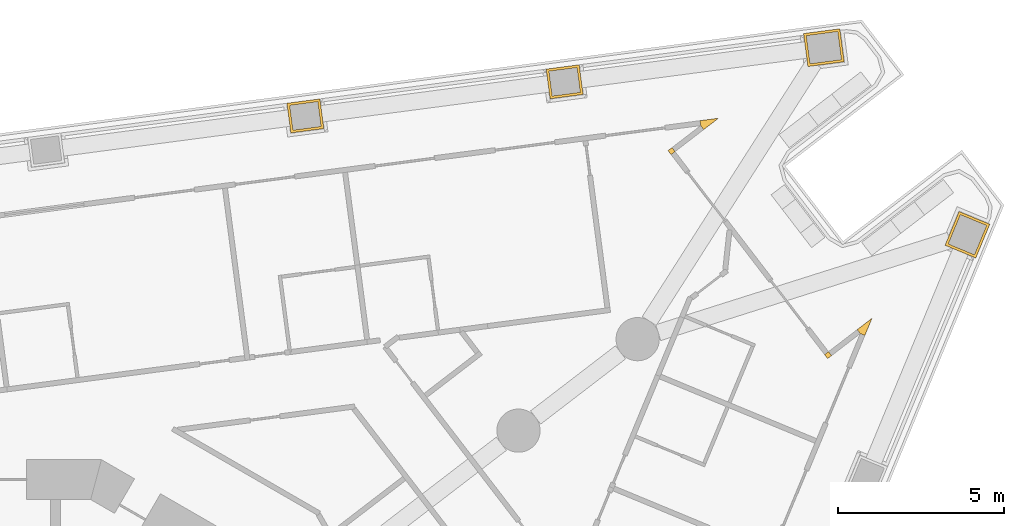
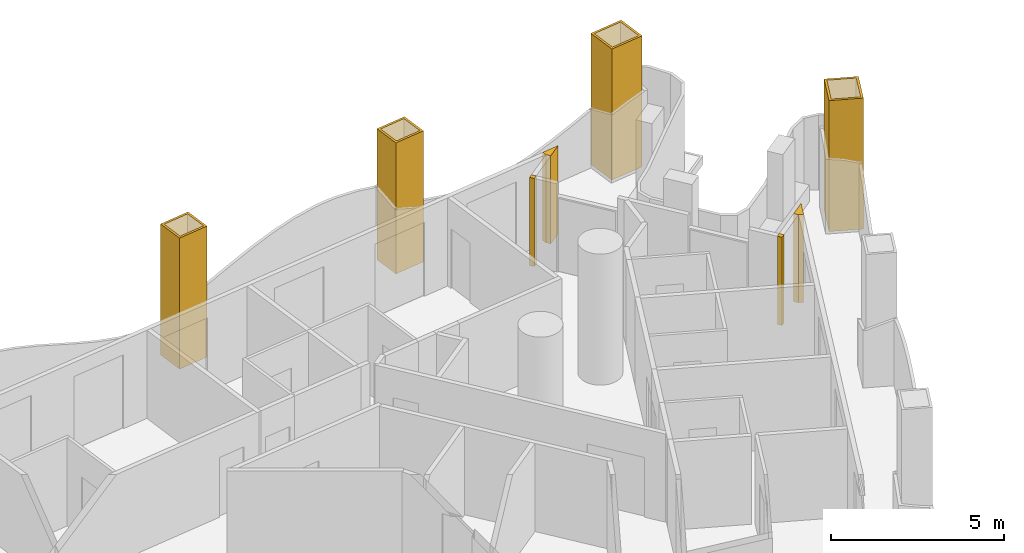
# One storey, part 18 of 19: 8 coverings.
"""IFC4 building model written with IfcOpenShell, lengths in metres."""

from ifc_helpers import new_model, si_unit, direction, frame, origin, place, context, subcontext, project, spatial, polyline, outline, extrude, material, layer, layer_set, type_object, element, save


model = new_model("IFC4")

# Units and contexts
model_context = context("Model", 3, precision=1e-05, world=origin(), true_north=direction((0.0, 1.0)))
body_context = subcontext(model_context, "Body", "Model", "MODEL_VIEW")
ifc_project = project(units=[si_unit("LENGTHUNIT", "METRE"), si_unit("AREAUNIT", "SQUARE_METRE"), si_unit("VOLUMEUNIT", "CUBIC_METRE"), si_unit("PLANEANGLEUNIT", "RADIAN"), si_unit("MASSUNIT", "GRAM", prefix="KILO")], contexts=[model_context])

# Site, building, storey
site_placement = place(None, origin())
site = spatial("IfcSite", under=ifc_project, at=site_placement, CompositionType="ELEMENT")
building_placement = place(site_placement, origin())
building = spatial("IfcBuilding", under=site, at=building_placement, Name="Trine Commons Tower", CompositionType="ELEMENT")
storey_placement = place(building_placement, frame((0.0, 0.0, 79.199951171875)))
storey = spatial("IfcBuildingStorey", under=building, at=storey_placement, Name="L19", CompositionType="ELEMENT", Elevation=79.199951171875)

# Coverings
ifc_material_1 = material(Name="Aluminium-framed insulated wall panel", Category="aluminium")
ifc_layer_1 = layer(ifc_material_1, 0.14990234375)
ifc_layer_set_1 = layer_set([ifc_layer_1], Name="Aluminium-framed insulated wall panel")
covering_type_1 = type_object("IfcCoveringType", Name="Glazing corner post, aluminium", PredefinedType="CLADDING", material=ifc_layer_set_1)
covering_1_placement = place(storey_placement, origin())
element("IfcCovering", 1, at=covering_1_placement, inside=storey, type_object=covering_type_1, Name="Glazing corner post 2-05", PredefinedType="CLADDING", context=body_context, shape_type="SweptSolid", body=[
    extrude(outline(polyline([(101.056396484375, 83.434326171875), (101.50048828125, 83.775146484375), (100.945556640625, 83.7021484375), (100.965087890625, 83.553466796875), (101.056396484375, 83.434326171875)])), origin(), (0.0, 0.0, 1.0), 3.10009765625),
])
covering_2_placement = place(storey_placement, origin())
element("IfcCovering", 2, at=covering_2_placement, inside=storey, type_object=covering_type_1, Name="Glazing corner post 2-06", PredefinedType="CLADDING", context=body_context, shape_type="SweptSolid", body=[
    extrude(outline(polyline([(100.076171875, 82.68212890625), (100.195068359375, 82.7734375), (100.103759765625, 82.892333984375), (99.98486328125, 82.801025390625), (100.076171875, 82.68212890625)])), origin(), (0.0, 0.0, 1.0), 3.10009765625),
])
covering_3_placement = place(storey_placement, origin())
element("IfcCovering", 3, at=covering_3_placement, inside=storey, type_object=covering_type_1, Name="Glazing corner post 2-07", PredefinedType="CLADDING", context=body_context, shape_type="SweptSolid", body=[
    extrude(outline(polyline([(104.6904296875, 76.66845703125), (104.78173828125, 76.549560546875), (104.90087890625, 76.640869140625), (104.8095703125, 76.759765625), (104.6904296875, 76.66845703125)])), origin(), (0.0, 0.0, 1.0), 3.10009765625),
])
covering_4_placement = place(storey_placement, origin())
element("IfcCovering", 4, at=covering_4_placement, inside=storey, type_object=covering_type_1, Name="Glazing corner post 2-08", PredefinedType="CLADDING", context=body_context, shape_type="SweptSolid", body=[
    extrude(outline(polyline([(105.90087890625, 77.244384765625), (106.114990234375, 77.761474609375), (105.6708984375, 77.4208984375), (105.76220703125, 77.3017578125), (105.90087890625, 77.244384765625)])), origin(), (0.0, 0.0, 1.0), 3.10009765625),
])
ifc_material_2 = material(Name="Limestone, honed", Category="masonry")
ifc_layer_2 = layer(ifc_material_2, 0.074951171875)
ifc_layer_set_2 = layer_set([ifc_layer_2], Name="Limestone, honed")
covering_type_2 = type_object("IfcCoveringType", Name="Limestone column cladding 75", PredefinedType="CLADDING", material=ifc_layer_set_2)
covering_5_placement = place(storey_placement, origin())
element("IfcCovering", 5, at=covering_5_placement, inside=storey, type_object=covering_type_2, Name="Limestone pier cladding 2-14", PredefinedType="CLADDING", context=body_context, shape_type="SweptSolid", body=[
    extrude(outline(polyline([(89.636962890625, 83.464111328125), (89.519287109375, 84.356201171875), (88.52783203125, 84.225830078125), (88.6455078125, 83.33349609375), (89.636962890625, 83.464111328125)]), holes=[polyline([(89.552734375, 83.528564453125), (89.454833984375, 84.272216796875), (88.612060546875, 84.1611328125), (88.7099609375, 83.41748046875), (89.552734375, 83.528564453125)])]), origin(), (0.0, 0.0, 1.0), 4.609619140625),
])
covering_6_placement = place(storey_placement, origin())
element("IfcCovering", 6, at=covering_6_placement, inside=storey, type_object=covering_type_2, Name="Limestone pier cladding 2-15", PredefinedType="CLADDING", context=body_context, shape_type="SweptSolid", body=[
    extrude(outline(polyline([(97.43017578125, 84.489990234375), (97.312744140625, 85.38232421875), (96.3212890625, 85.251708984375), (96.438720703125, 84.359619140625), (97.43017578125, 84.489990234375)]), holes=[polyline([(97.345947265625, 84.5546875), (97.248046875, 85.298095703125), (96.405517578125, 85.187255859375), (96.50341796875, 84.443603515625), (97.345947265625, 84.5546875)])]), origin(), (0.0, 0.0, 1.0), 4.609619140625),
])
covering_7_placement = place(storey_placement, origin())
element("IfcCovering", 7, at=covering_7_placement, inside=storey, type_object=covering_type_2, Name="Limestone pier cladding 2-16", PredefinedType="CLADDING", context=body_context, shape_type="SweptSolid", body=[
    extrude(outline(polyline([(105.279541015625, 85.472900390625), (105.14892578125, 86.46435546875), (104.058349609375, 86.32080078125), (104.18896484375, 85.329345703125), (105.279541015625, 85.472900390625)]), holes=[polyline([(105.1953125, 85.53759765625), (105.08447265625, 86.38037109375), (104.142578125, 86.25634765625), (104.25341796875, 85.41357421875), (105.1953125, 85.53759765625)])]), origin(), (0.0, 0.0, 1.0), 4.609619140625),
])
covering_8_placement = place(storey_placement, origin())
element("IfcCovering", 8, at=covering_8_placement, inside=storey, type_object=covering_type_2, Name="Limestone pier cladding 2-17", PredefinedType="CLADDING", context=body_context, shape_type="SweptSolid", body=[
    extrude(outline(polyline([(109.65673828125, 80.589599609375), (108.73291015625, 80.972412109375), (108.31201171875, 79.9560546875), (109.23583984375, 79.5732421875), (109.65673828125, 80.589599609375)]), holes=[polyline([(109.558837890625, 80.549072265625), (108.7734375, 80.874267578125), (108.409912109375, 79.99658203125), (109.1953125, 79.67138671875), (109.558837890625, 80.549072265625)])]), origin(), (0.0, 0.0, 1.0), 4.609619140625),
])

save(model, "model.ifc")
